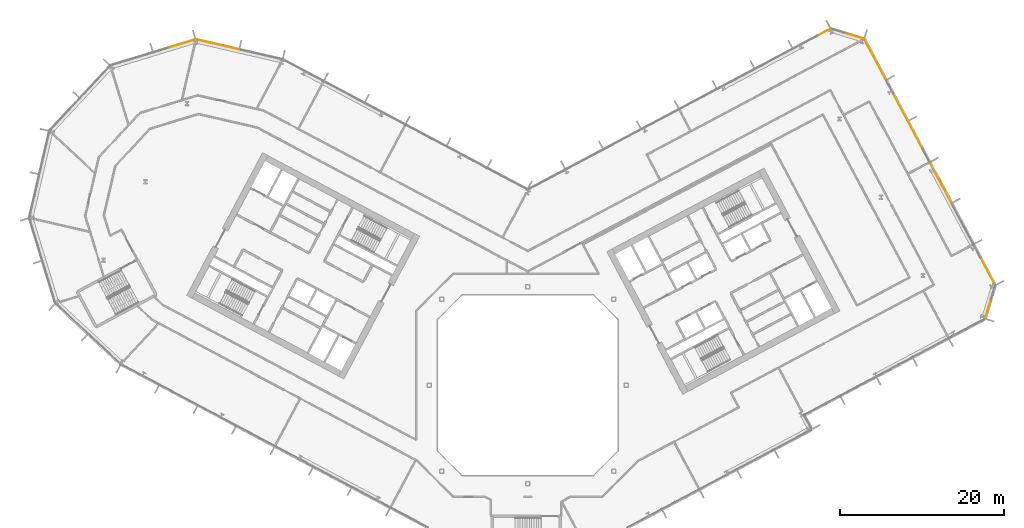
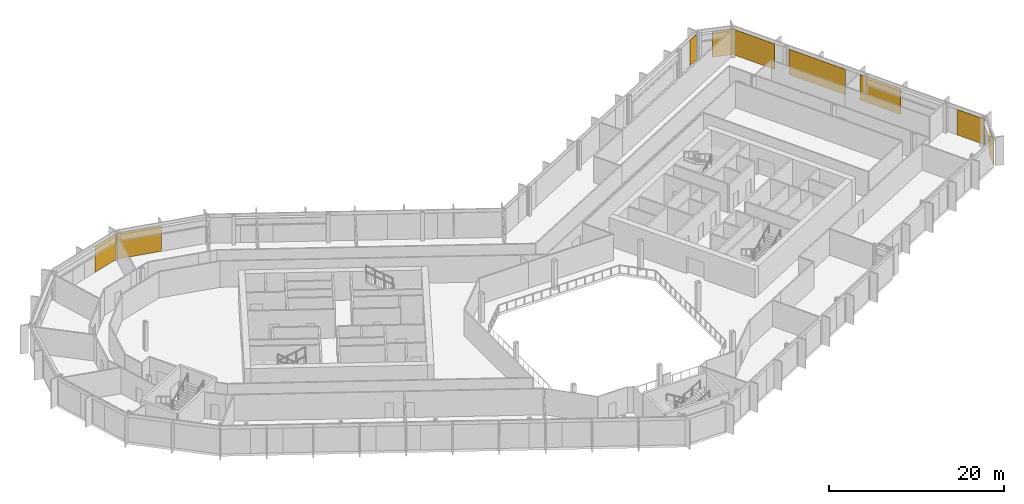
# One storey, part 28 of 28: 9 coverings, 6 elements without a shape of their own.
"""IFC4 building model written with IfcOpenShell, lengths in metres."""

from ifc_helpers import new_model, si_unit, direction, frame, origin, origin_2d, place, context, subcontext, project, spatial, rectangle, extrude, material, layer, layer_set, type_object, element, aggregate, save


model = new_model("IFC4")

# Units and contexts
model_context = context("Model", 3, precision=1e-05, world=origin(), true_north=direction((0.0, 1.0)))
body_context = subcontext(model_context, "Body", "Model", "MODEL_VIEW")
ifc_project = project(units=[si_unit("LENGTHUNIT", "METRE"), si_unit("AREAUNIT", "SQUARE_METRE"), si_unit("VOLUMEUNIT", "CUBIC_METRE"), si_unit("PLANEANGLEUNIT", "RADIAN"), si_unit("MASSUNIT", "GRAM", prefix="KILO")], contexts=[model_context])

# Site, building, storey
site_placement = place(None, origin())
site = spatial("IfcSite", under=ifc_project, at=site_placement, CompositionType="ELEMENT")
building_placement = place(site_placement, origin())
building = spatial("IfcBuilding", under=site, at=building_placement, Name="Cormorant Relay Tower", CompositionType="ELEMENT")
storey_placement = place(building_placement, frame((0.0, 0.0, 154.199951171875)))
storey = spatial("IfcBuildingStorey", under=building, at=storey_placement, Name="L32", CompositionType="ELEMENT", Elevation=154.199951171875)

# Curtain wall, covering
ifc_material_1 = material(Name="Aluminium 6063-T6 anodised bronze", Category="aluminium")
ifc_layer_1 = layer(ifc_material_1, 0.199951171875)
ifc_layer_set_1 = layer_set([ifc_layer_1], Name="CW1 unitised bronze curtain wall with vertical fins")
curtain_wall_type = type_object("IfcCurtainWallType", Name="CW1 unitised bronze curtain wall with vertical fins", PredefinedType="NOTDEFINED", material=ifc_layer_set_1)
curtain_wall_1_placement = place(storey_placement, origin())
curtain_wall_1 = element("IfcCurtainWall", 1, at=curtain_wall_1_placement, inside=storey, type_object=curtain_wall_type, Name="CW1 curtain wall 5", PredefinedType="NOTDEFINED")
ifc_material_2 = material(Name="Pale bronze anodised aluminium insulated panel", Category="aluminium")
ifc_layer_2 = layer(ifc_material_2, 0.0400390625)
ifc_layer_set_2 = layer_set([ifc_layer_2], Name="CW1 pale bronze insulated panel 40")
covering_type = type_object("IfcCoveringType", Name="CW1 pale bronze insulated panel 40", PredefinedType="CLADDING", material=ifc_layer_set_2)
covering_1_placement = place(storey_placement, frame((56.103515625, 9.303955078125, 0.0), z_axis=(0.0, 0.0, 1.0), x_axis=(0.292371704723, 0.956304755963, 0.0)))
covering_1 = element("IfcCovering", 2, at=covering_1_placement, type_object=covering_type, Name="CW1 panel S00", PredefinedType="CLADDING", context=body_context, shape_type="SweptSolid", body=[
    extrude(rectangle(XDim=2.36767578125, YDim=0.0400390625, at=origin_2d()), origin(), (0.0, 0.0, 1.0), 3.550048828125),
])
aggregate(curtain_wall_1, [covering_1])

# Curtain wall, coverings
curtain_wall_2_placement = place(storey_placement, origin())
curtain_wall_2 = element("IfcCurtainWall", 3, at=curtain_wall_2_placement, inside=storey, type_object=curtain_wall_type, Name="CW1 curtain wall 6", PredefinedType="NOTDEFINED")
covering_2_placement = place(storey_placement, frame((56.066650390625, 13.879638671875, 0.0), z_axis=(0.0, 0.0, 1.0), x_axis=(-0.469471562786, 0.882947592859, 0.0)))
covering_2 = element("IfcCovering", 4, at=covering_2_placement, type_object=covering_type, Name="CW1 panel S00", PredefinedType="CLADDING", context=body_context, shape_type="SweptSolid", body=[
    extrude(rectangle(XDim=3.716796875, YDim=0.0400390625, at=origin_2d()), origin(), (0.0, 0.0, 1.0), 3.550048828125),
])
covering_3_placement = place(storey_placement, frame((50.323486328125, 24.68115234375, 0.0), z_axis=(0.0, 0.0, 1.0), x_axis=(-0.469471562786, 0.882947592859, 0.0)))
covering_3 = element("IfcCovering", 5, at=covering_3_placement, type_object=covering_type, Name="CW1 panel S03", PredefinedType="CLADDING", context=body_context, shape_type="SweptSolid", body=[
    extrude(rectangle(XDim=5.5166015625, YDim=0.0400390625, at=origin_2d()), origin(), (0.0, 0.0, 1.0), 3.550048828125),
])
covering_4_placement = place(storey_placement, frame((46.3330078125, 32.18603515625, 0.0), z_axis=(0.0, 0.0, 1.0), x_axis=(-0.469471562786, 0.882947592859, 0.0)))
covering_4 = element("IfcCovering", 6, at=covering_4_placement, type_object=covering_type, Name="CW1 panel S05", PredefinedType="CLADDING", context=body_context, shape_type="SweptSolid", body=[
    extrude(rectangle(XDim=7.583251953125, YDim=0.0400390625, at=origin_2d()), origin(), (0.0, 0.0, 1.0), 3.550048828125),
])
covering_5_placement = place(storey_placement, frame((42.32470703125, 39.724365234375, 0.0), z_axis=(0.0, 0.0, 1.0), x_axis=(-0.469471562786, 0.882947592859, 0.0)))
covering_5 = element("IfcCovering", 7, at=covering_5_placement, type_object=covering_type, Name="CW1 panel S07", PredefinedType="CLADDING", context=body_context, shape_type="SweptSolid", body=[
    extrude(rectangle(XDim=5.591796875, YDim=0.0400390625, at=origin_2d()), origin(), (0.0, 0.0, 1.0), 3.550048828125),
])
aggregate(curtain_wall_2, [covering_2, covering_3, covering_4, covering_5])

# Curtain wall, covering
curtain_wall_3_placement = place(storey_placement, origin())
curtain_wall_3 = element("IfcCurtainWall", 8, at=curtain_wall_3_placement, inside=storey, type_object=curtain_wall_type, Name="CW1 curtain wall 7", PredefinedType="NOTDEFINED")
covering_6_placement = place(storey_placement, frame((39.796630859375, 42.570556640625, 0.0), z_axis=(0.0, 0.0, 1.0), x_axis=(-0.956304755963, 0.292371704723, 0.0)))
covering_6 = element("IfcCovering", 9, at=covering_6_placement, type_object=covering_type, Name="CW1 panel S00", PredefinedType="CLADDING", context=body_context, shape_type="SweptSolid", body=[
    extrude(rectangle(XDim=2.36767578125, YDim=0.0400390625, at=origin_2d()), origin(), (0.0, 0.0, 1.0), 3.550048828125),
])
aggregate(curtain_wall_3, [covering_6])

curtain_wall_4_placement = place(storey_placement, origin())
curtain_wall_4 = element("IfcCurtainWall", 10, at=curtain_wall_4_placement, inside=storey, type_object=curtain_wall_type, Name="CW1 curtain wall 8", PredefinedType="NOTDEFINED")
covering_7_placement = place(storey_placement, frame((36.208740234375, 43.05908203125, 0.0), z_axis=(0.0, 0.0, 1.0), x_axis=(-0.882947592859, -0.469471562786, 0.0)))
covering_7 = element("IfcCovering", 11, at=covering_7_placement, type_object=covering_type, Name="CW1 panel S00", PredefinedType="CLADDING", context=body_context, shape_type="SweptSolid", body=[
    extrude(rectangle(XDim=1.479248046875, YDim=0.0400390625, at=origin_2d()), origin(), (0.0, 0.0, 1.0), 3.550048828125),
])
aggregate(curtain_wall_4, [covering_7])

curtain_wall_5_placement = place(storey_placement, origin())
curtain_wall_5 = element("IfcCurtainWall", 12, at=curtain_wall_5_placement, inside=storey, type_object=curtain_wall_type, Name="CW1 curtain wall 10", PredefinedType="NOTDEFINED")
covering_8_placement = place(storey_placement, frame((-37.849609375, 41.530029296875, 0.0), z_axis=(0.0, 0.0, 1.0), x_axis=(-0.974370064785, 0.224951054344, 0.0)))
covering_8 = element("IfcCovering", 13, at=covering_8_placement, type_object=covering_type, Name="CW1 panel S01", PredefinedType="CLADDING", context=body_context, shape_type="SweptSolid", body=[
    extrude(rectangle(XDim=5.360107421875, YDim=0.0400390625, at=origin_2d()), origin(), (0.0, 0.0, 1.0), 3.550048828125),
])
aggregate(curtain_wall_5, [covering_8])

curtain_wall_6_placement = place(storey_placement, origin())
curtain_wall_6 = element("IfcCurtainWall", 14, at=curtain_wall_6_placement, inside=storey, type_object=curtain_wall_type, Name="CW1 curtain wall 11", PredefinedType="NOTDEFINED")
covering_9_placement = place(storey_placement, frame((-42.209716796875, 41.60107421875, 0.0), z_axis=(0.0, 0.0, 1.0), x_axis=(-0.956304755963, -0.292371704723, 0.0)))
covering_9 = element("IfcCovering", 15, at=covering_9_placement, type_object=covering_type, Name="CW1 panel S00", PredefinedType="CLADDING", context=body_context, shape_type="SweptSolid", body=[
    extrude(rectangle(XDim=3.485107421875, YDim=0.0400390625, at=origin_2d()), origin(), (0.0, 0.0, 1.0), 3.550048828125),
])
aggregate(curtain_wall_6, [covering_9])

save(model, "model.ifc")
